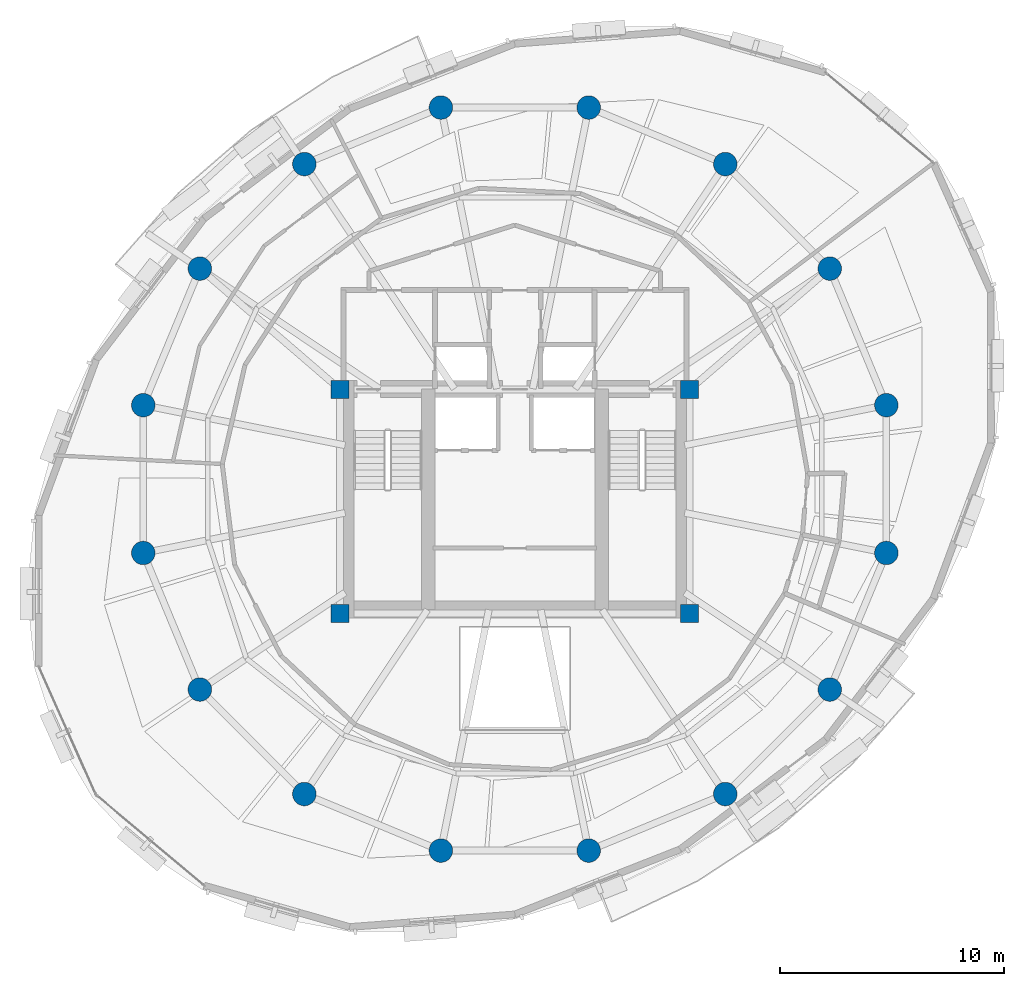
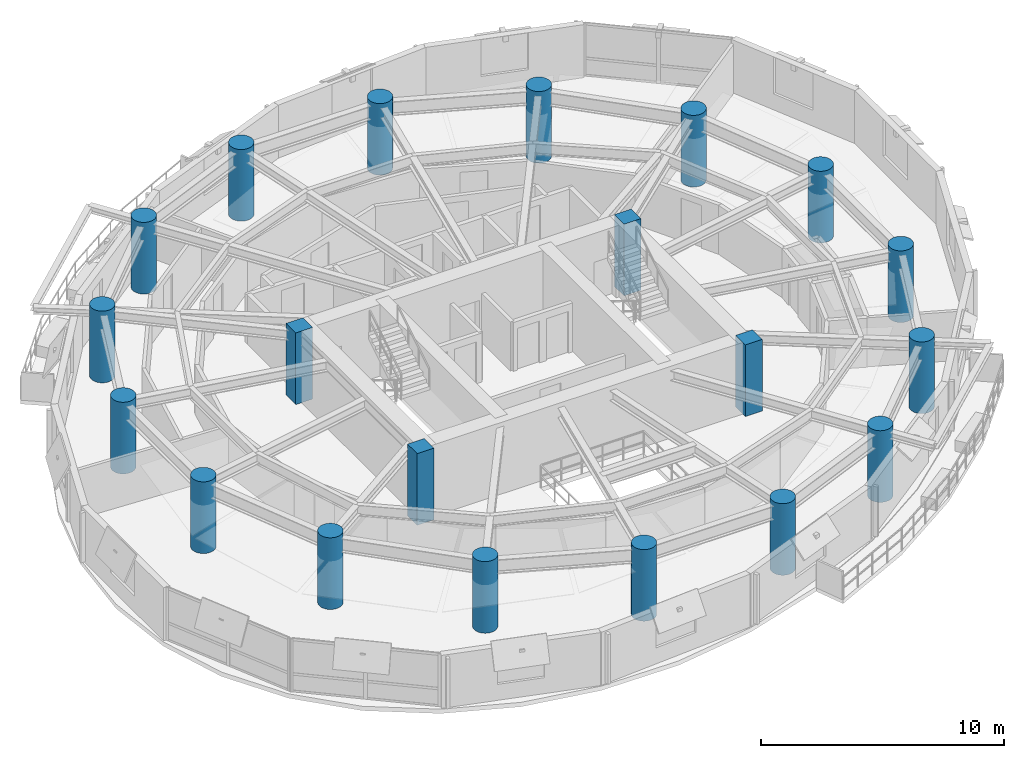
# One storey, part 1 of 12: 20 columns.
"""IFC4 building model written with IfcOpenShell, lengths in metres."""

from ifc_helpers import new_model, si_unit, direction, frame, origin, origin_2d, place, context, subcontext, project, spatial, rectangle, circle, extrude, material, material_profile, profile_set, type_object, element, save


model = new_model("IFC4")

# Units and contexts
model_context = context("Model", 3, precision=1e-05, world=origin(), true_north=direction((0.0, 1.0)))
body_context = subcontext(model_context, "Body", "Model", "MODEL_VIEW")
ifc_project = project(units=[si_unit("LENGTHUNIT", "METRE"), si_unit("AREAUNIT", "SQUARE_METRE"), si_unit("VOLUMEUNIT", "CUBIC_METRE"), si_unit("PLANEANGLEUNIT", "RADIAN"), si_unit("MASSUNIT", "GRAM", prefix="KILO"), si_unit("THERMODYNAMICTEMPERATUREUNIT", "KELVIN"), si_unit("POWERUNIT", "WATT")], contexts=[model_context])

# Site, building, storey
site_placement = place(None, origin())
site = spatial("IfcSite", under=ifc_project, at=site_placement, CompositionType="ELEMENT")
building_placement = place(site_placement, origin())
building = spatial("IfcBuilding", under=site, at=building_placement, Name="Ocrelia Relay Tower", CompositionType="ELEMENT")
storey_placement = place(building_placement, frame((0.0, 0.0, 188.0)))
storey = spatial("IfcBuildingStorey", under=building, at=storey_placement, Name="L45", CompositionType="ELEMENT", Elevation=188.0)

# Columns
ifc_material = material(Name="Concrete C60/75", Category="concrete")
ifc_material_profile_1 = material_profile(ifc_material, circle(Radius=0.52490234375, at=origin_2d()), Name="RC-CIR-1050")
ifc_profile_set_1 = profile_set([ifc_material_profile_1], Name="Concrete C60/75")
column_type_1 = type_object("IfcColumnType", Name="COL-CT-1050", PredefinedType="COLUMN", material=ifc_profile_set_1)
for number, where, z_axis, x_axis, name in (
    (1, (50.5751953125, 29.297119140625, 0.0), (0.0, 0.0, 1.0), (1.0, 0.0, 0.0), "L45 Perimeter Ring Column C01"),
    (2, (48.0517578125, 35.38916015625, 0.0), (0.0, 0.0, 1.0), (1.0, 0.0, 0.0), "L45 Perimeter Ring Column C02"),
    (3, (43.38916015625, 40.0517578125, 0.0), (0.0, 0.0, 1.0), (1.0, 0.0, 0.0), "L45 Perimeter Ring Column C03"),
    (4, (37.297119140625, 42.5751953125, 0.0), (0.0, 0.0, 1.0), (1.0, 0.0, 0.0), "L45 Perimeter Ring Column C04"),
    (5, (30.702880859375, 42.5751953125, 0.0), (0.0, 0.0, 1.0), (1.0, 0.0, 0.0), "L45 Perimeter Ring Column C05"),
    (6, (24.61083984375, 40.0517578125, 0.0), (0.0, 0.0, 1.0), (1.0, 0.0, 0.0), "L45 Perimeter Ring Column C06"),
    (7, (19.9482421875, 35.38916015625, 0.0), (0.0, 0.0, 1.0), (1.0, 0.0, 0.0), "L45 Perimeter Ring Column C07"),
    (8, (17.4248046875, 29.297119140625, 0.0), (0.0, 0.0, 1.0), (1.0, 0.0, 0.0), "L45 Perimeter Ring Column C08"),
    (9, (17.4248046875, 22.702880859375, 0.0), (0.0, 0.0, 1.0), (1.0, 0.0, 0.0), "L45 Perimeter Ring Column C09"),
    (10, (19.9482421875, 16.61083984375, 0.0), (0.0, 0.0, 1.0), (1.0, 0.0, 0.0), "L45 Perimeter Ring Column C10"),
    (11, (24.61083984375, 11.9482421875, 0.0), (0.0, 0.0, 1.0), (1.0, 0.0, 0.0), "L45 Perimeter Ring Column C11"),
    (12, (30.702880859375, 9.4248046875, 0.0), (0.0, 0.0, 1.0), (1.0, 0.0, 0.0), "L45 Perimeter Ring Column C12"),
    (13, (37.297119140625, 9.4248046875, 0.0), (0.0, 0.0, 1.0), (1.0, 0.0, 0.0), "L45 Perimeter Ring Column C13"),
    (14, (43.38916015625, 11.9482421875, 0.0), (0.0, 0.0, 1.0), (1.0, 0.0, 0.0), "L45 Perimeter Ring Column C14"),
    (15, (48.0517578125, 16.61083984375, 0.0), (0.0, 0.0, 1.0), (1.0, 0.0, 0.0), "L45 Perimeter Ring Column C15"),
    (16, (50.5751953125, 22.702880859375, 0.0), (0.0, 0.0, 1.0), (1.0, 0.0, 0.0), "L45 Perimeter Ring Column C16"),
):
    element("IfcColumn", number, at=place(storey_placement, frame(where, z_axis=z_axis, x_axis=x_axis)), inside=storey, type_object=column_type_1, Name=name, PredefinedType="COLUMN", context=body_context, shape_type="SweptSolid", body=[
        extrude(circle(Radius=0.52490234375, at=origin_2d()), origin(), (0.0, 0.0, 1.0), 3.60009765625),
    ])
ifc_material_profile_2 = material_profile(ifc_material, rectangle(XDim=0.800048828125, YDim=0.800048828125, at=origin_2d()), Name="RC-COL-800x800")
ifc_profile_set_2 = profile_set([ifc_material_profile_2], Name="Concrete C60/75")
column_type_2 = type_object("IfcColumnType", Name="COL-PILASTER-800", PredefinedType="PILASTER", material=ifc_profile_set_2)
for number, where, z_axis, x_axis, name in (
    (17, (26.199951171875, 20.0, 0.0), (0.0, 0.0, 1.0), (1.0, 0.0, 0.0), "L45 Core Corner Pilaster SW"),
    (18, (41.800048828125, 20.0, 0.0), (0.0, 0.0, 1.0), (1.0, 0.0, 0.0), "L45 Core Corner Pilaster SE"),
    (19, (26.199951171875, 30.0, 0.0), (0.0, 0.0, 1.0), (1.0, 0.0, 0.0), "L45 Core Corner Pilaster NW"),
    (20, (41.800048828125, 30.0, 0.0), (0.0, 0.0, 1.0), (1.0, 0.0, 0.0), "L45 Core Corner Pilaster NE"),
):
    element("IfcColumn", number, at=place(storey_placement, frame(where, z_axis=z_axis, x_axis=x_axis)), inside=storey, type_object=column_type_2, Name=name, PredefinedType="PILASTER", context=body_context, shape_type="SweptSolid", body=[
        extrude(rectangle(XDim=0.800048828125, YDim=0.800048828125, at=origin_2d()), origin(), (0.0, 0.0, 1.0), 3.60009765625),
    ])

save(model, "model.ifc")
